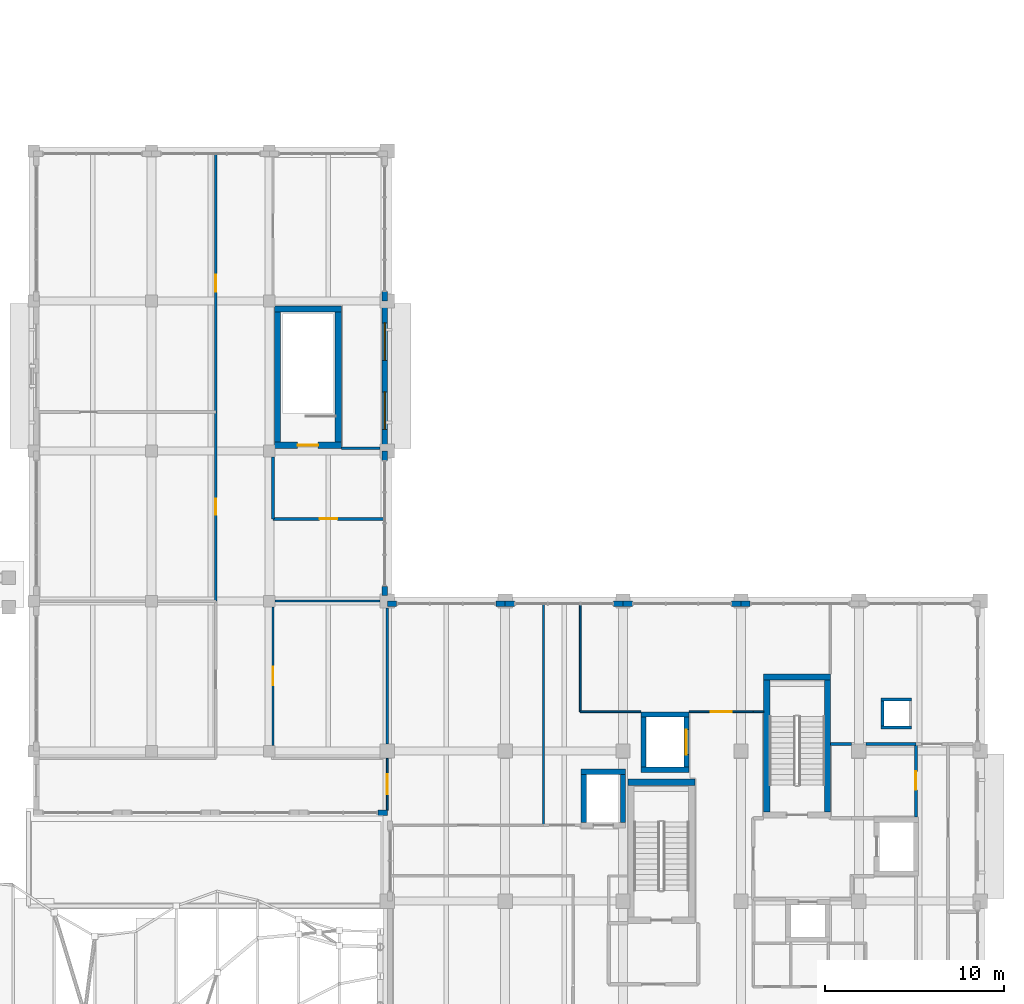
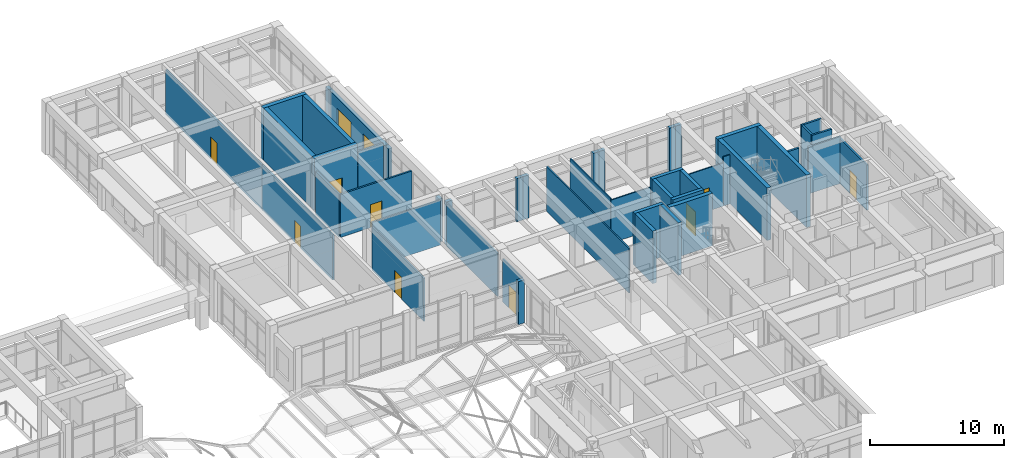
# One storey, part 60 of 79: 47 walls, 9 doors, 2 windows, 11 openings.
"""IFC4 building model written with IfcOpenShell, lengths in metres."""

from ifc_helpers import new_model, si_unit, direction, frame, frame_2d, origin, place, context, subcontext, project, spatial, rectangle, extrude, material, layer, layer_set, type_object, element, fill, save


model = new_model("IFC4")

# Units and contexts
model_context = context("Model", 3, precision=1e-05, world=origin(), true_north=direction((0.0, 1.0)))
body_context = subcontext(model_context, "Body", "Model", "MODEL_VIEW")
ifc_project = project(units=[si_unit("LENGTHUNIT", "METRE"), si_unit("AREAUNIT", "SQUARE_METRE"), si_unit("VOLUMEUNIT", "CUBIC_METRE"), si_unit("PLANEANGLEUNIT", "RADIAN"), si_unit("MASSUNIT", "GRAM", prefix="KILO")], contexts=[model_context])

# Site, building, storey
site_placement = place(None, origin())
site = spatial("IfcSite", under=ifc_project, at=site_placement, CompositionType="ELEMENT")
building_placement = place(site_placement, origin())
building = spatial("IfcBuilding", under=site, at=building_placement, Name="Kolvaren Faculty of Natural Sciences", CompositionType="ELEMENT")
storey_placement = place(building_placement, frame((0.0, 0.0, 10.199951171875)))
storey = spatial("IfcBuildingStorey", under=building, at=storey_placement, Name="L02", CompositionType="ELEMENT", Elevation=10.199951171875)

# Wall, opening, door
ifc_material_1 = material(Name="Acoustic mineral-wool insulated gypsum partition")
ifc_layer_1 = layer(ifc_material_1, 0.159912109375)
ifc_layer_set_1 = layer_set([ifc_layer_1], Name="Acoustic mineral-wool insulated gypsum partition")
wall_type_1 = type_object("IfcWallType", Name="ClassroomPartitionWall_160", PredefinedType="PARTITIONING", material=ifc_layer_set_1)
wall_1_placement = place(storey_placement, frame((168.39990234375, 76.199951171875, 0.0), z_axis=(0.0, 0.0, 1.0), x_axis=(0.0, -1.0, 0.0)))
wall_1 = element("IfcWall", 1, at=wall_1_placement, inside=storey, type_object=wall_type_1, Name="L02 interior partition PW-160", PredefinedType="PARTITIONING", context=body_context, shape_type="SweptSolid", body=[
    extrude(rectangle(XDim=4.097900390625, YDim=0.159912109375, at=frame_2d((2.048828125, 0.0))), origin(), (0.0, 0.0, 1.0), 4.135009765625),
])
opening_1_placement = place(wall_1_placement, frame((1.529052734375, 0.0, 0.0)))
opening_1 = element("IfcOpeningElement", 2, at=opening_1_placement, cuts=wall_1, Name="Opening ID-22", PredefinedType="OPENING", context=body_context, shape_type="SweptSolid", body=[
    extrude(rectangle(XDim=1.0400390625, YDim=2.139892578125, at=frame_2d((0.52001953125, 1.06982421875))), frame((0.0, 0.08984375, 0.0), z_axis=(0.0, -1.0, 0.0), x_axis=(1.0, 0.0, 0.0)), (0.0, 0.0, 1.0), 0.179931640625),
])
ifc_material_2 = material(Name="Solid-core hardwood veneer door leaf in steel frame", Category="steel")
door_type_1 = type_object("IfcDoorType", Name="InteriorRoomDoor_1040x2140", OperationType="NOTDEFINED", PredefinedType="DOOR", material=ifc_material_2)
door_1_placement = place(opening_1_placement, origin())
door_1 = element("IfcDoor", 3, at=door_1_placement, inside=storey, type_object=door_type_1, Name="D-L02-0215", OperationType="SINGLE_SWING_LEFT", OverallHeight=2.139892578125, OverallWidth=1.0400390625, PredefinedType="DOOR", context=body_context, shape_type="SweptSolid", body=[
    extrude(rectangle(XDim=1.0400390625, YDim=2.139892578125, at=frame_2d((0.52001953125, 1.06982421875))), frame((0.0, 0.02490234375, 0.0), z_axis=(0.0, -1.0, 0.0), x_axis=(1.0, 0.0, 0.0)), (0.0, 0.0, 1.0), 0.050048828125),
])
fill(opening_1, door_1)

# Walls
wall_2_placement = place(storey_placement, frame((163.626953125, 76.199951171875, 0.0), z_axis=(0.0, 0.0, 1.0), x_axis=(1.0, 0.0, 0.0)))
element("IfcWall", 4, at=wall_2_placement, inside=storey, type_object=wall_type_1, Name="L02 interior partition PW-160", PredefinedType="PARTITIONING", context=body_context, shape_type="SweptSolid", body=[
    extrude(rectangle(XDim=1.173095703125, YDim=0.159912109375, at=frame_2d((0.58642578125, 0.0))), origin(), (0.0, 0.0, 1.0), 4.4951171875),
])
wall_3_placement = place(storey_placement, frame((165.60009765625, 76.199951171875, 0.0), z_axis=(0.0, 0.0, 1.0), x_axis=(1.0, 0.0, 0.0)))
element("IfcWall", 5, at=wall_3_placement, inside=storey, type_object=wall_type_1, Name="L02 interior partition PW-160", PredefinedType="PARTITIONING", context=body_context, shape_type="SweptSolid", body=[
    extrude(rectangle(XDim=2.7998046875, YDim=0.159912109375, at=frame_2d((1.39990234375, 0.0))), origin(), (0.0, 0.0, 1.0), 4.28515625),
])

# Wall, opening, door
ifc_layer_2 = layer(ifc_material_1, 0.139892578125)
ifc_layer_set_2 = layer_set([ifc_layer_2], Name="Acoustic mineral-wool insulated gypsum partition")
wall_type_2 = type_object("IfcWallType", Name="CommonsPartitionWall_140", PredefinedType="PARTITIONING", material=ifc_layer_set_2)
wall_4_placement = place(storey_placement, frame((129.199951171875, 109.219970703125, 0.0), z_axis=(0.0, 0.0, 1.0), x_axis=(0.0, -1.0, 0.0)))
wall_4 = element("IfcWall", 6, at=wall_4_placement, inside=storey, type_object=wall_type_2, Name="L02 interior partition PW-140", PredefinedType="PARTITIONING", context=body_context, shape_type="SweptSolid", body=[
    extrude(rectangle(XDim=14.43603515625, YDim=0.139892578125, at=frame_2d((7.218017578125, 0.0))), origin(), (0.0, 0.0, 1.0), 4.0849609375),
])
opening_2_placement = place(wall_4_placement, frame((6.748046875, 0.0, 0.0)))
opening_2 = element("IfcOpeningElement", 7, at=opening_2_placement, cuts=wall_4, Name="Opening ID-02", PredefinedType="OPENING", context=body_context, shape_type="SweptSolid", body=[
    extrude(rectangle(XDim=0.93994140625, YDim=2.02001953125, at=frame_2d((0.469970703125, 1.010009765625))), frame((0.0, 0.079833984375, 0.0), z_axis=(0.0, -1.0, 0.0), x_axis=(1.0, 0.0, 0.0)), (0.0, 0.0, 1.0), 0.159912109375),
])
door_type_2 = type_object("IfcDoorType", Name="InteriorRoomDoor_940x2020", OperationType="NOTDEFINED", PredefinedType="DOOR", material=ifc_material_2)
door_2_placement = place(opening_2_placement, origin())
door_2 = element("IfcDoor", 8, at=door_2_placement, inside=storey, type_object=door_type_2, Name="D-L02-0186", OperationType="SINGLE_SWING_RIGHT", OverallHeight=2.02001953125, OverallWidth=0.93994140625, PredefinedType="DOOR", context=body_context, shape_type="SweptSolid", body=[
    extrude(rectangle(XDim=0.93994140625, YDim=2.02001953125, at=frame_2d((0.469970703125, 1.010009765625))), frame((0.0, 0.02490234375, 0.0), z_axis=(0.0, -1.0, 0.0), x_axis=(1.0, 0.0, 0.0)), (0.0, 0.0, 1.0), 0.050048828125),
])
fill(opening_2, door_2)

ifc_layer_3 = layer(ifc_material_1, 0.14501953125)
ifc_layer_set_3 = layer_set([ifc_layer_3], Name="Acoustic mineral-wool insulated gypsum partition")
wall_type_3 = type_object("IfcWallType", Name="CommonsPartitionWall_145", PredefinedType="PARTITIONING", material=ifc_layer_set_3)
wall_5_placement = place(storey_placement, frame((129.199951171875, 94.783935546875, 0.0), z_axis=(0.0, 0.0, 1.0), x_axis=(0.0, -1.0, 0.0)))
wall_5 = element("IfcWall", 9, at=wall_5_placement, inside=storey, type_object=wall_type_3, Name="L02 interior partition PW-145", PredefinedType="PARTITIONING", context=body_context, shape_type="SweptSolid", body=[
    extrude(rectangle(XDim=10.583984375, YDim=0.14501953125, at=frame_2d((5.2919921875, 0.0))), origin(), (0.0, 0.0, 1.0), 4.135009765625),
])
opening_3_placement = place(wall_5_placement, frame((4.842041015625, 0.0, 0.0)))
opening_3 = element("IfcOpeningElement", 10, at=opening_3_placement, cuts=wall_5, Name="Opening ID-01", PredefinedType="OPENING", context=body_context, shape_type="SweptSolid", body=[
    extrude(rectangle(XDim=0.89990234375, YDim=2.02001953125, at=frame_2d((0.449951171875, 1.010009765625))), frame((0.0, 0.08251953125, 0.0), z_axis=(0.0, -1.0, 0.0), x_axis=(1.0, 0.0, 0.0)), (0.0, 0.0, 1.0), 0.1650390625),
])
door_type_3 = type_object("IfcDoorType", Name="InteriorRoomDoor_900x2020", OperationType="NOTDEFINED", PredefinedType="DOOR", material=ifc_material_2)
door_3_placement = place(opening_3_placement, origin())
door_3 = element("IfcDoor", 11, at=door_3_placement, inside=storey, type_object=door_type_3, Name="D-L02-0184", OperationType="SINGLE_SWING_RIGHT", OverallHeight=2.02001953125, OverallWidth=0.89990234375, PredefinedType="DOOR", context=body_context, shape_type="SweptSolid", body=[
    extrude(rectangle(XDim=0.89990234375, YDim=2.02001953125, at=frame_2d((0.449951171875, 1.010009765625))), frame((0.0, 0.02490234375, 0.0), z_axis=(0.0, -1.0, 0.0), x_axis=(1.0, 0.0, 0.0)), (0.0, 0.0, 1.0), 0.050048828125),
])
fill(opening_3, door_3)

# Walls
ifc_material_3 = material(Name="Concrete C40/50", Category="concrete")
ifc_layer_4 = layer(ifc_material_3, 0.35009765625)
ifc_layer_set_4 = layer_set([ifc_layer_4], Name="Concrete C40/50")
wall_type_4 = type_object("IfcWallType", Name="CoreShearWall_350", PredefinedType="SHEAR", material=ifc_layer_set_4)
wall_6_placement = place(storey_placement, frame((159.875, 79.949951171875, 0.0), z_axis=(0.0, 0.0, 1.0), x_axis=(1.0, 0.0, 0.0)))
element("IfcWall", 12, at=wall_6_placement, inside=storey, type_object=wall_type_4, Name="L02 CORE-C1 stair shear wall N", PredefinedType="SHEAR", context=body_context, shape_type="SweptSolid", body=[
    extrude(rectangle(XDim=3.75, YDim=0.35009765625, at=frame_2d((1.875, 0.0))), origin(), (0.0, 0.0, 1.0), 4.800048828125),
])
for number, where, z_axis, x_axis, name in (
    (13, (160.050048828125, 72.39990234375, 0.0), (0.0, 0.0, 1.0), (0.0, 1.0, 0.0), "L02 CORE-C1 stair shear wall W"),
    (14, (163.449951171875, 72.39990234375, 0.0), (0.0, 0.0, 1.0), (0.0, 1.0, 0.0), "L02 CORE-C1 stair shear wall E"),
):
    element("IfcWall", number, at=place(storey_placement, frame(where, z_axis=z_axis, x_axis=x_axis)), inside=storey, type_object=wall_type_4, Name=name, PredefinedType="SHEAR", context=body_context, shape_type="SweptSolid", body=[
        extrude(rectangle(XDim=7.375, YDim=0.35009765625, at=frame_2d((3.6875, 0.0))), origin(), (0.0, 0.0, 1.0), 4.800048828125),
    ])
wall_7_placement = place(storey_placement, frame((152.27490234375, 74.050048828125, 0.0), z_axis=(0.0, 0.0, 1.0), x_axis=(1.0, 0.0, 0.0)))
element("IfcWall", 15, at=wall_7_placement, inside=storey, type_object=wall_type_4, Name="L02 CORE-C2 stair shear wall N", PredefinedType="SHEAR", context=body_context, shape_type="SweptSolid", body=[
    extrude(rectangle(XDim=3.75, YDim=0.35009765625, at=frame_2d((1.875, 0.0))), origin(), (0.0, 0.0, 1.0), 4.800048828125),
])

# Wall, opening, door
wall_8_placement = place(storey_placement, frame((132.47509765625, 92.925048828125, 0.0), z_axis=(0.0, 0.0, 1.0), x_axis=(1.0, 0.0, 0.0)))
wall_8 = element("IfcWall", 16, at=wall_8_placement, inside=storey, type_object=wall_type_4, Name="L02 CORE-C7 stair shear wall S", PredefinedType="SHEAR", context=body_context, shape_type="SweptSolid", body=[
    extrude(rectangle(XDim=3.75, YDim=0.35009765625, at=frame_2d((1.875, 0.0))), origin(), (0.0, 0.0, 1.0), 4.739990234375),
])
opening_4_placement = place(wall_8_placement, frame((1.300048828125, 0.0, 0.0)))
opening_4 = element("IfcOpeningElement", 17, at=opening_4_placement, cuts=wall_8, Name="Opening FD90", PredefinedType="OPENING", context=body_context, shape_type="SweptSolid", body=[
    extrude(rectangle(XDim=1.14990234375, YDim=2.14990234375, at=frame_2d((0.574951171875, 1.074951171875))), frame((0.0, 0.18505859375, 0.0), z_axis=(0.0, -1.0, 0.0), x_axis=(1.0, 0.0, 0.0)), (0.0, 0.0, 1.0), 0.3701171875),
])
ifc_material_4 = material(Name="Fire-rated solid-core hardwood door leaf in steel frame", Category="steel")
door_type_4 = type_object("IfcDoorType", Name="StairCoreFireDoor_1150x2150", OperationType="NOTDEFINED", PredefinedType="DOOR", material=ifc_material_4)
door_4_placement = place(opening_4_placement, origin())
door_4 = element("IfcDoor", 18, at=door_4_placement, inside=storey, type_object=door_type_4, Name="D-ST-ST-7-L02", OperationType="SINGLE_SWING_RIGHT", OverallHeight=2.14990234375, OverallWidth=1.14990234375, PredefinedType="DOOR", context=body_context, shape_type="SweptSolid", body=[
    extrude(rectangle(XDim=1.14990234375, YDim=2.14990234375, at=frame_2d((0.574951171875, 1.074951171875))), frame((0.0, 0.02490234375, 0.0), z_axis=(0.0, -1.0, 0.0), x_axis=(1.0, 0.0, 0.0)), (0.0, 0.0, 1.0), 0.050048828125),
])
fill(opening_4, door_4)

# Walls
wall_9_placement = place(storey_placement, frame((132.47509765625, 100.550048828125, 0.0), z_axis=(0.0, 0.0, 1.0), x_axis=(1.0, 0.0, 0.0)))
element("IfcWall", 19, at=wall_9_placement, inside=storey, type_object=wall_type_4, Name="L02 CORE-C7 stair shear wall N", PredefinedType="SHEAR", context=body_context, shape_type="SweptSolid", body=[
    extrude(rectangle(XDim=3.75, YDim=0.35009765625, at=frame_2d((1.875, 0.0))), origin(), (0.0, 0.0, 1.0), 4.739990234375),
])
for number, where, z_axis, x_axis, name in (
    (20, (132.64990234375, 93.10009765625, 0.0), (0.0, 0.0, 1.0), (0.0, 1.0, 0.0), "L02 CORE-C7 stair shear wall W"),
    (21, (136.050048828125, 93.10009765625, 0.0), (0.0, 0.0, 1.0), (0.0, 1.0, 0.0), "L02 CORE-C7 stair shear wall E"),
):
    element("IfcWall", number, at=place(storey_placement, frame(where, z_axis=z_axis, x_axis=x_axis)), inside=storey, type_object=wall_type_4, Name=name, PredefinedType="SHEAR", context=body_context, shape_type="SweptSolid", body=[
        extrude(rectangle(XDim=7.27490234375, YDim=0.35009765625, at=frame_2d((3.637451171875, 0.0))), origin(), (0.0, 0.0, 1.0), 4.739990234375),
    ])
ifc_layer_5 = layer(ifc_material_1, 0.094970703125)
ifc_layer_set_5 = layer_set([ifc_layer_5], Name="Acoustic mineral-wool insulated gypsum partition")
wall_type_5 = type_object("IfcWallType", Name="CubiclePartition_095", PredefinedType="PARTITIONING", material=ifc_layer_set_5)
wall_10_placement = place(storey_placement, frame((153.0, 78.0, 0.0), z_axis=(0.0, 0.0, 1.0), x_axis=(-1.0, 0.0, 0.0)))
element("IfcWall", 22, at=wall_10_placement, inside=storey, type_object=wall_type_5, Name="L02 interior partition PW-095", PredefinedType="PARTITIONING", context=body_context, shape_type="SweptSolid", body=[
    extrude(rectangle(XDim=3.39990234375, YDim=0.094970703125, at=frame_2d((1.699951171875, 0.0))), origin(), (0.0, 0.0, 1.0), 3.93505859375),
])
wall_11_placement = place(storey_placement, frame((149.60009765625, 78.0, 0.0), z_axis=(0.0, 0.0, 1.0), x_axis=(0.0, 1.0, 0.0)))
element("IfcWall", 23, at=wall_11_placement, inside=storey, type_object=wall_type_5, Name="L02 interior partition PW-095", PredefinedType="PARTITIONING", context=body_context, shape_type="SweptSolid", body=[
    extrude(rectangle(XDim=6.02001953125, YDim=0.094970703125, at=frame_2d((3.010009765625, 0.0))), origin(), (0.0, 0.0, 1.0), 4.0849609375),
])
wall_12_placement = place(storey_placement, frame((159.873046875, 78.0, 0.0), z_axis=(0.0, 0.0, 1.0), x_axis=(-1.0, 0.0, 0.0)))
element("IfcWall", 24, at=wall_12_placement, inside=storey, type_object=wall_type_5, Name="L02 interior partition PW-095", PredefinedType="PARTITIONING", context=body_context, shape_type="SweptSolid", body=[
    extrude(rectangle(XDim=0.572998046875, YDim=0.094970703125, at=frame_2d((0.28662109375, 0.0))), origin(), (0.0, 0.0, 1.0), 4.4951171875),
])

# Wall, opening, door
wall_13_placement = place(storey_placement, frame((159.300048828125, 78.0, 0.0), z_axis=(0.0, 0.0, 1.0), x_axis=(-1.0, 0.0, 0.0)))
wall_13 = element("IfcWall", 25, at=wall_13_placement, inside=storey, type_object=wall_type_5, Name="L02 interior partition PW-095", PredefinedType="PARTITIONING", context=body_context, shape_type="SweptSolid", body=[
    extrude(rectangle(XDim=3.60009765625, YDim=0.094970703125, at=frame_2d((1.800048828125, 0.0))), origin(), (0.0, 0.0, 1.0), 3.93505859375),
])
opening_5_placement = place(wall_13_placement, frame((1.2099609375, 0.0, 0.0)))
opening_5 = element("IfcOpeningElement", 26, at=opening_5_placement, cuts=wall_13, Name="Opening ID-18", PredefinedType="OPENING", context=body_context, shape_type="SweptSolid", body=[
    extrude(rectangle(XDim=1.179931640625, YDim=2.10009765625, at=frame_2d((0.58984375, 1.050048828125))), frame((0.0, 0.057373046875, 0.0), z_axis=(0.0, -1.0, 0.0), x_axis=(1.0, 0.0, 0.0)), (0.0, 0.0, 1.0), 0.114990234375),
])
door_type_5 = type_object("IfcDoorType", Name="InteriorRoomDoor_1180x2100", OperationType="NOTDEFINED", PredefinedType="DOOR", material=ifc_material_2)
door_5_placement = place(opening_5_placement, origin())
door_5 = element("IfcDoor", 27, at=door_5_placement, inside=storey, type_object=door_type_5, Name="D-L02-0211", OperationType="SINGLE_SWING_LEFT", OverallHeight=2.10009765625, OverallWidth=1.179931640625, PredefinedType="DOOR", context=body_context, shape_type="SweptSolid", body=[
    extrude(rectangle(XDim=1.179931640625, YDim=2.10009765625, at=frame_2d((0.58984375, 1.050048828125))), frame((0.0, 0.02490234375, 0.0), z_axis=(0.0, -1.0, 0.0), x_axis=(1.0, 0.0, 0.0)), (0.0, 0.0, 1.0), 0.050048828125),
])
fill(opening_5, door_5)

# Walls
ifc_material_5 = material(Name="Sandstone-faced insulated cavity masonry", Category="masonry")
ifc_layer_6 = layer(ifc_material_5, 0.300048828125)
ifc_layer_set_6 = layer_set([ifc_layer_6], Name="Sandstone-faced insulated cavity masonry")
wall_type_6 = type_object("IfcWallType", Name="ExteriorCavityWall_300", PredefinedType="STANDARD", material=ifc_layer_set_6)
for number, where, z_axis, x_axis, name in (
    (28, (138.800048828125, 72.35009765625, 0.0), (0.0, 0.0, 1.0), (-1.0, 0.0, 0.0), "L02 curtain-wall pier stub 361"),
    (29, (138.64990234375, 101.52001953125, 0.0), (0.0, 0.0, 1.0), (0.0, -1.0, 0.0), "L02 curtain-wall pier stub 384"),
):
    element("IfcWall", number, at=place(storey_placement, frame(where, z_axis=z_axis, x_axis=x_axis)), inside=storey, type_object=wall_type_6, Name=name, PredefinedType="STANDARD", context=body_context, shape_type="SweptSolid", body=[
        extrude(rectangle(XDim=0.52001953125, YDim=0.300048828125, at=frame_2d((0.260009765625, 0.0))), origin(), (0.0, 0.0, 1.0), 3.93505859375),
    ])

# Wall, openings, windows
wall_14_placement = place(storey_placement, frame((138.64990234375, 101.0, 0.0), z_axis=(0.0, 0.0, 1.0), x_axis=(0.0, -1.0, 0.0)))
wall_14 = element("IfcWall", 30, at=wall_14_placement, inside=storey, type_object=wall_type_6, Name="L02 exterior masonry wall EW-300 (385)", PredefinedType="STANDARD", context=body_context, shape_type="SweptSolid", body=[
    extrude(rectangle(XDim=8.39990234375, YDim=0.300048828125, at=frame_2d((4.199951171875, 0.0))), origin(), (0.0, 0.0, 1.0), 3.93505859375),
])
opening_6_placement = place(wall_14_placement, frame((1.218017578125, 0.0, 0.89990234375)))
opening_6 = element("IfcOpeningElement", 31, at=opening_6_placement, cuts=wall_14, Name="Opening WIN-07", PredefinedType="OPENING", context=body_context, shape_type="SweptSolid", body=[
    extrude(rectangle(XDim=2.10009765625, YDim=2.10009765625, at=frame_2d((1.050048828125, 1.050048828125))), frame((0.0, 0.159912109375, 0.0), z_axis=(0.0, -1.0, 0.0), x_axis=(1.0, 0.0, 0.0)), (0.0, 0.0, 1.0), 0.320068359375),
])
opening_7_placement = place(wall_14_placement, frame((5.08203125, 0.0, 0.89990234375)))
opening_7 = element("IfcOpeningElement", 32, at=opening_7_placement, cuts=wall_14, Name="Opening WIN-07", PredefinedType="OPENING", context=body_context, shape_type="SweptSolid", body=[
    extrude(rectangle(XDim=2.10009765625, YDim=2.10009765625, at=frame_2d((1.050048828125, 1.050048828125))), frame((0.0, 0.159912109375, 0.0), z_axis=(0.0, -1.0, 0.0), x_axis=(1.0, 0.0, 0.0)), (0.0, 0.0, 1.0), 0.320068359375),
])
ifc_material_6 = material(Name="Double low-E solar control insulated glazing", Category="glass")
window_type = type_object("IfcWindowType", Name="AluWindow_WIN07_2100x2100", PartitioningType="SINGLE_PANEL", PredefinedType="WINDOW", material=ifc_material_6)
window_1_placement = place(opening_6_placement, origin())
window_1 = element("IfcWindow", 33, at=window_1_placement, inside=storey, type_object=window_type, Name="WIN-L02-0282", OverallHeight=2.10009765625, OverallWidth=2.10009765625, PartitioningType="SINGLE_PANEL", PredefinedType="WINDOW", context=body_context, shape_type="SweptSolid", body=[
    extrude(rectangle(XDim=2.10009765625, YDim=2.10009765625, at=frame_2d((1.050048828125, 1.050048828125))), frame((0.0, 0.030029296875, 0.0), z_axis=(0.0, -1.0, 0.0), x_axis=(1.0, 0.0, 0.0)), (0.0, 0.0, 1.0), 0.06005859375),
])
fill(opening_6, window_1)
window_2_placement = place(opening_7_placement, origin())
window_2 = element("IfcWindow", 34, at=window_2_placement, inside=storey, type_object=window_type, Name="WIN-L02-0283", OverallHeight=2.10009765625, OverallWidth=2.10009765625, PartitioningType="SINGLE_PANEL", PredefinedType="WINDOW", context=body_context, shape_type="SweptSolid", body=[
    extrude(rectangle(XDim=2.10009765625, YDim=2.10009765625, at=frame_2d((1.050048828125, 1.050048828125))), frame((0.0, 0.030029296875, 0.0), z_axis=(0.0, -1.0, 0.0), x_axis=(1.0, 0.0, 0.0)), (0.0, 0.0, 1.0), 0.06005859375),
])
fill(opening_7, window_2)

# Walls
for number, where, z_axis, x_axis, name in (
    (35, (138.64990234375, 92.60009765625, 0.0), (0.0, 0.0, 1.0), (0.0, -1.0, 0.0), "L02 curtain-wall pier stub 386"),
    (36, (138.64990234375, 85.02001953125, 0.0), (0.0, 0.0, 1.0), (0.0, -1.0, 0.0), "L02 curtain-wall pier stub 387"),
    (37, (138.800048828125, 84.050048828125, 0.0), (0.0, 0.0, 1.0), (1.0, 0.0, 0.0), "L02 curtain-wall pier stub 388"),
    (38, (144.8798828125, 84.050048828125, 0.0), (0.0, 0.0, 1.0), (1.0, 0.0, 0.0), "L02 curtain-wall pier stub 389"),
    (39, (145.39990234375, 84.050048828125, 0.0), (0.0, 0.0, 1.0), (1.0, 0.0, 0.0), "L02 curtain-wall pier stub 390"),
    (40, (151.47998046875, 84.050048828125, 0.0), (0.0, 0.0, 1.0), (1.0, 0.0, 0.0), "L02 curtain-wall pier stub 391"),
    (41, (152.0, 84.050048828125, 0.0), (0.0, 0.0, 1.0), (1.0, 0.0, 0.0), "L02 curtain-wall pier stub 392"),
    (42, (158.080078125, 84.050048828125, 0.0), (0.0, 0.0, 1.0), (1.0, 0.0, 0.0), "L02 curtain-wall pier stub 393"),
    (43, (158.60009765625, 84.050048828125, 0.0), (0.0, 0.0, 1.0), (1.0, 0.0, 0.0), "L02 curtain-wall pier stub 394"),
):
    element("IfcWall", number, at=place(storey_placement, frame(where, z_axis=z_axis, x_axis=x_axis)), inside=storey, type_object=wall_type_6, Name=name, PredefinedType="STANDARD", context=body_context, shape_type="SweptSolid", body=[
        extrude(rectangle(XDim=0.52001953125, YDim=0.300048828125, at=frame_2d((0.260009765625, 0.0))), origin(), (0.0, 0.0, 1.0), 3.93505859375),
    ])
ifc_material_7 = material(Name="Double fire-rated gypsum board on 100 mm steel stud", Category="steel")
ifc_layer_7 = layer(ifc_material_7, 0.14990234375)
ifc_layer_set_7 = layer_set([ifc_layer_7], Name="Double fire-rated gypsum board on 100 mm steel stud")
wall_type_7 = type_object("IfcWallType", Name="RatedCorridorWall_150", PredefinedType="PARTITIONING", material=ifc_layer_set_7)
wall_15_placement = place(storey_placement, frame((136.22509765625, 92.75, 0.0), z_axis=(0.0, 0.0, 1.0), x_axis=(1.0, 0.0, 0.0)))
element("IfcWall", 44, at=wall_15_placement, inside=storey, type_object=wall_type_7, Name="L02 interior partition LW-150", PredefinedType="PARTITIONING", context=body_context, shape_type="SweptSolid", body=[
    extrude(rectangle(XDim=2.1748046875, YDim=0.14990234375, at=frame_2d((1.08740234375, 0.0))), origin(), (0.0, 0.0, 1.0), 4.135009765625),
])

# Wall, opening, door
wall_16_placement = place(storey_placement, frame((138.6201171875, 88.800048828125, 0.0), z_axis=(0.0, 0.0, 1.0), x_axis=(-1.0, 0.0, 0.0)))
wall_16 = element("IfcWall", 45, at=wall_16_placement, inside=storey, type_object=wall_type_7, Name="L02 interior partition LW-150", PredefinedType="PARTITIONING", context=body_context, shape_type="SweptSolid", body=[
    extrude(rectangle(XDim=6.22021484375, YDim=0.14990234375, at=frame_2d((3.110107421875, 0.0))), origin(), (0.0, 0.0, 1.0), 3.93505859375),
])
opening_8_placement = place(wall_16_placement, frame((2.610107421875, 0.0, 0.0)))
opening_8 = element("IfcOpeningElement", 46, at=opening_8_placement, cuts=wall_16, Name="Opening FD30", PredefinedType="OPENING", context=body_context, shape_type="SweptSolid", body=[
    extrude(rectangle(XDim=1.0, YDim=2.10009765625, at=frame_2d((0.5, 1.050048828125))), frame((0.0, 0.0849609375, 0.0), z_axis=(0.0, -1.0, 0.0), x_axis=(1.0, 0.0, 0.0)), (0.0, 0.0, 1.0), 0.169921875),
])
door_type_6 = type_object("IfcDoorType", Name="CorridorFireDoor_1000x2100", OperationType="NOTDEFINED", PredefinedType="DOOR", material=ifc_material_4)
door_6_placement = place(opening_8_placement, origin())
door_6 = element("IfcDoor", 47, at=door_6_placement, inside=storey, type_object=door_type_6, Name="D-L02-0176", OperationType="SINGLE_SWING_RIGHT", OverallHeight=2.10009765625, OverallWidth=1.0, PredefinedType="DOOR", context=body_context, shape_type="SweptSolid", body=[
    extrude(rectangle(XDim=1.0, YDim=2.10009765625, at=frame_2d((0.5, 1.050048828125))), frame((0.0, 0.02490234375, 0.0), z_axis=(0.0, -1.0, 0.0), x_axis=(1.0, 0.0, 0.0)), (0.0, 0.0, 1.0), 0.050048828125),
])
fill(opening_8, door_6)

# Walls
wall_17_placement = place(storey_placement, frame((132.39990234375, 88.800048828125, 0.0), z_axis=(0.0, 0.0, 1.0), x_axis=(0.0, 1.0, 0.0)))
element("IfcWall", 48, at=wall_17_placement, inside=storey, type_object=wall_type_7, Name="L02 interior partition LW-150", PredefinedType="PARTITIONING", context=body_context, shape_type="SweptSolid", body=[
    extrude(rectangle(XDim=3.474853515625, YDim=0.14990234375, at=frame_2d((1.7373046875, 0.0))), origin(), (0.0, 0.0, 1.0), 3.93505859375),
])
ifc_layer_8 = layer(ifc_material_7, 0.159912109375)
ifc_layer_set_8 = layer_set([ifc_layer_8], Name="Double fire-rated gypsum board on 100 mm steel stud")
wall_type_8 = type_object("IfcWallType", Name="RiserShaftWall_160", PredefinedType="PARTITIONING", material=ifc_layer_set_8)
for number, where, z_axis, x_axis, name in (
    (49, (166.43994140625, 77.1201171875, 0.0), (0.0, 0.0, 1.0), (1.0, 0.0, 0.0), "L02 service riser shaft wall S"),
    (50, (166.43994140625, 78.679931640625, 0.0), (0.0, 0.0, 1.0), (1.0, 0.0, 0.0), "L02 service riser shaft wall N"),
):
    element("IfcWall", number, at=place(storey_placement, frame(where, z_axis=z_axis, x_axis=x_axis)), inside=storey, type_object=wall_type_8, Name=name, PredefinedType="PARTITIONING", context=body_context, shape_type="SweptSolid", body=[
        extrude(rectangle(XDim=1.719970703125, YDim=0.159912109375, at=frame_2d((0.85986328125, 0.0))), origin(), (0.0, 0.0, 1.0), 4.4951171875),
    ])
wall_18_placement = place(storey_placement, frame((166.52001953125, 77.199951171875, 0.0), z_axis=(0.0, 0.0, 1.0), x_axis=(0.0, 1.0, 0.0)))
element("IfcWall", 51, at=wall_18_placement, inside=storey, type_object=wall_type_8, Name="L02 service riser shaft wall W", PredefinedType="PARTITIONING", context=body_context, shape_type="SweptSolid", body=[
    extrude(rectangle(XDim=1.400146484375, YDim=0.159912109375, at=frame_2d((0.7001953125, 0.0))), origin(), (0.0, 0.0, 1.0), 4.4951171875),
])
ifc_layer_9 = layer(ifc_material_3, 0.300048828125)
ifc_layer_set_9 = layer_set([ifc_layer_9], Name="Concrete C40/50")
wall_type_9 = type_object("IfcWallType", Name="ShaftShearWall_300", PredefinedType="SHEAR", material=ifc_layer_set_9)
wall_19_placement = place(storey_placement, frame((149.64990234375, 74.64990234375, 0.0), z_axis=(0.0, 0.0, 1.0), x_axis=(1.0, 0.0, 0.0)))
element("IfcWall", 52, at=wall_19_placement, inside=storey, type_object=wall_type_9, Name="L02 lift FL-2 shaft wall N", PredefinedType="SHEAR", context=body_context, shape_type="SweptSolid", body=[
    extrude(rectangle(XDim=2.5, YDim=0.300048828125, at=frame_2d((1.25, 0.0))), origin(), (0.0, 0.0, 1.0), 4.800048828125),
])
for number, where, z_axis, x_axis, name in (
    (53, (149.800048828125, 71.800048828125, 0.0), (0.0, 0.0, 1.0), (0.0, 1.0, 0.0), "L02 lift FL-2 shaft wall W"),
    (54, (152.0, 71.800048828125, 0.0), (0.0, 0.0, 1.0), (0.0, 1.0, 0.0), "L02 lift FL-2 shaft wall E"),
    (55, (153.0, 74.75, 0.0), (0.0, 0.0, 1.0), (1.0, 0.0, 0.0), "L02 lift GL-2 shaft wall S"),
    (56, (153.0, 77.85009765625, 0.0), (0.0, 0.0, 1.0), (1.0, 0.0, 0.0), "L02 lift GL-2 shaft wall N"),
):
    element("IfcWall", number, at=place(storey_placement, frame(where, z_axis=z_axis, x_axis=x_axis)), inside=storey, type_object=wall_type_9, Name=name, PredefinedType="SHEAR", context=body_context, shape_type="SweptSolid", body=[
        extrude(rectangle(XDim=2.699951171875, YDim=0.300048828125, at=frame_2d((1.35009765625, 0.0))), origin(), (0.0, 0.0, 1.0), 4.800048828125),
    ])
wall_20_placement = place(storey_placement, frame((153.14990234375, 74.89990234375, 0.0), z_axis=(0.0, 0.0, 1.0), x_axis=(0.0, 1.0, 0.0)))
element("IfcWall", 57, at=wall_20_placement, inside=storey, type_object=wall_type_9, Name="L02 lift GL-2 shaft wall W", PredefinedType="SHEAR", context=body_context, shape_type="SweptSolid", body=[
    extrude(rectangle(XDim=2.800048828125, YDim=0.300048828125, at=frame_2d((1.39990234375, 0.0))), origin(), (0.0, 0.0, 1.0), 4.800048828125),
])

# Wall, opening, door
wall_21_placement = place(storey_placement, frame((155.550048828125, 74.89990234375, 0.0), z_axis=(0.0, 0.0, 1.0), x_axis=(0.0, 1.0, 0.0)))
wall_21 = element("IfcWall", 58, at=wall_21_placement, inside=storey, type_object=wall_type_9, Name="L02 lift GL-2 shaft wall E", PredefinedType="SHEAR", context=body_context, shape_type="SweptSolid", body=[
    extrude(rectangle(XDim=2.800048828125, YDim=0.300048828125, at=frame_2d((1.39990234375, 0.0))), origin(), (0.0, 0.0, 1.0), 4.800048828125),
])
opening_9_placement = place(wall_21_placement, frame((0.699951171875, 0.0, 0.0)))
opening_9 = element("IfcOpeningElement", 59, at=opening_9_placement, cuts=wall_21, Name="Opening LD-03", PredefinedType="OPENING", context=body_context, shape_type="SweptSolid", body=[
    extrude(rectangle(XDim=1.39990234375, YDim=2.199951171875, at=frame_2d((0.699951171875, 1.10009765625))), frame((0.0, 0.159912109375, 0.0), z_axis=(0.0, -1.0, 0.0), x_axis=(1.0, 0.0, 0.0)), (0.0, 0.0, 1.0), 0.320068359375),
])
ifc_material_8 = material(Name="Brushed stainless steel lift car and sliding door assembly", Category="steel")
door_type_7 = type_object("IfcDoorType", Name="GoodsLiftSliding_1400x2200", OperationType="DOUBLE_DOOR_SLIDING", PredefinedType="DOOR", material=ifc_material_8)
door_7_placement = place(opening_9_placement, origin())
door_7 = element("IfcDoor", 60, at=door_7_placement, inside=storey, type_object=door_type_7, Name="D-LIFT-GL-2-L02", OperationType="DOUBLE_DOOR_SLIDING", OverallHeight=2.199951171875, OverallWidth=1.39990234375, PredefinedType="DOOR", context=body_context, shape_type="SweptSolid", body=[
    extrude(rectangle(XDim=1.39990234375, YDim=2.199951171875, at=frame_2d((0.699951171875, 1.10009765625))), frame((0.0, 0.02490234375, 0.0), z_axis=(0.0, -1.0, 0.0), x_axis=(1.0, 0.0, 0.0)), (0.0, 0.0, 1.0), 0.050048828125),
])
fill(opening_9, door_7)

ifc_layer_10 = layer(ifc_material_1, 0.1201171875)
ifc_layer_set_10 = layer_set([ifc_layer_10], Name="Acoustic mineral-wool insulated gypsum partition")
wall_type_10 = type_object("IfcWallType", Name="StudioPartitionWall_120", PredefinedType="PARTITIONING", material=ifc_layer_set_10)
wall_22_placement = place(storey_placement, frame((132.39990234375, 76.125, 0.0), z_axis=(0.0, 0.0, 1.0), x_axis=(0.0, 1.0, 0.0)))
wall_22 = element("IfcWall", 61, at=wall_22_placement, inside=storey, type_object=wall_type_10, Name="L02 interior partition PW-120", PredefinedType="PARTITIONING", context=body_context, shape_type="SweptSolid", body=[
    extrude(rectangle(XDim=7.75, YDim=0.1201171875, at=frame_2d((3.875, 0.0))), origin(), (0.0, 0.0, 1.0), 3.93505859375),
])
opening_10_placement = place(wall_22_placement, frame((3.364990234375, 0.0, 0.0)))
opening_10 = element("IfcOpeningElement", 62, at=opening_10_placement, cuts=wall_22, Name="Opening ID-04", PredefinedType="OPENING", context=body_context, shape_type="SweptSolid", body=[
    extrude(rectangle(XDim=1.02001953125, YDim=2.02001953125, at=frame_2d((0.510009765625, 1.010009765625))), frame((0.0, 0.070068359375, 0.0), z_axis=(0.0, -1.0, 0.0), x_axis=(1.0, 0.0, 0.0)), (0.0, 0.0, 1.0), 0.14013671875),
])
door_type_8 = type_object("IfcDoorType", Name="InteriorRoomDoor_1020x2020", OperationType="NOTDEFINED", PredefinedType="DOOR", material=ifc_material_2)
door_8_placement = place(opening_10_placement, origin())
door_8 = element("IfcDoor", 63, at=door_8_placement, inside=storey, type_object=door_type_8, Name="D-L02-0188", OperationType="SINGLE_SWING_RIGHT", OverallHeight=2.02001953125, OverallWidth=1.02001953125, PredefinedType="DOOR", context=body_context, shape_type="SweptSolid", body=[
    extrude(rectangle(XDim=1.02001953125, YDim=2.02001953125, at=frame_2d((0.510009765625, 1.010009765625))), frame((0.0, 0.02490234375, 0.0), z_axis=(0.0, -1.0, 0.0), x_axis=(1.0, 0.0, 0.0)), (0.0, 0.0, 1.0), 0.050048828125),
])
fill(opening_10, door_8)

# Walls
wall_23_placement = place(storey_placement, frame((132.52490234375, 84.199951171875, 0.0), z_axis=(0.0, 0.0, 1.0), x_axis=(1.0, 0.0, 0.0)))
element("IfcWall", 64, at=wall_23_placement, inside=storey, type_object=wall_type_10, Name="L02 interior partition PW-120", PredefinedType="PARTITIONING", context=body_context, shape_type="SweptSolid", body=[
    extrude(rectangle(XDim=5.875, YDim=0.1201171875, at=frame_2d((2.9375, 0.0))), origin(), (0.0, 0.0, 1.0), 4.135009765625),
])
wall_24_placement = place(storey_placement, frame((138.800048828125, 83.800048828125, 0.0), z_axis=(0.0, 0.0, 1.0), x_axis=(0.0, -1.0, 0.0)))
element("IfcWall", 65, at=wall_24_placement, inside=storey, type_object=wall_type_10, Name="L02 interior partition PW-120", PredefinedType="PARTITIONING", context=body_context, shape_type="SweptSolid", body=[
    extrude(rectangle(XDim=7.60009765625, YDim=0.1201171875, at=frame_2d((3.800048828125, 0.0))), origin(), (0.0, 0.0, 1.0), 3.93505859375),
])

# Wall, opening, door
ifc_layer_11 = layer(ifc_material_1, 0.10498046875)
ifc_layer_set_11 = layer_set([ifc_layer_11], Name="Acoustic mineral-wool insulated gypsum partition")
wall_type_11 = type_object("IfcWallType", Name="WetRoomPartition_105", PredefinedType="PARTITIONING", material=ifc_layer_set_11)
wall_25_placement = place(storey_placement, frame((138.800048828125, 72.501953125, 0.0), z_axis=(0.0, 0.0, 1.0), x_axis=(0.0, 1.0, 0.0)))
wall_25 = element("IfcWall", 66, at=wall_25_placement, inside=storey, type_object=wall_type_11, Name="L02 interior partition PW-105", PredefinedType="PARTITIONING", context=body_context, shape_type="SweptSolid", body=[
    extrude(rectangle(XDim=2.89794921875, YDim=0.10498046875, at=frame_2d((1.448974609375, 0.0))), origin(), (0.0, 0.0, 1.0), 3.93505859375),
])
opening_11_placement = place(wall_25_placement, frame((0.888916015625, 0.0, 0.0)))
opening_11 = element("IfcOpeningElement", 67, at=opening_11_placement, cuts=wall_25, Name="Opening ID-17", PredefinedType="OPENING", context=body_context, shape_type="SweptSolid", body=[
    extrude(rectangle(XDim=1.1201171875, YDim=2.10009765625, at=frame_2d((0.56005859375, 1.050048828125))), frame((0.0, 0.0625, 0.0), z_axis=(0.0, -1.0, 0.0), x_axis=(1.0, 0.0, 0.0)), (0.0, 0.0, 1.0), 0.125),
])
door_type_9 = type_object("IfcDoorType", Name="InteriorRoomDoor_1120x2100", OperationType="NOTDEFINED", PredefinedType="DOOR", material=ifc_material_2)
door_9_placement = place(opening_11_placement, origin())
door_9 = element("IfcDoor", 68, at=door_9_placement, inside=storey, type_object=door_type_9, Name="D-L02-0210", OperationType="SINGLE_SWING_RIGHT", OverallHeight=2.10009765625, OverallWidth=1.1201171875, PredefinedType="DOOR", context=body_context, shape_type="SweptSolid", body=[
    extrude(rectangle(XDim=1.1201171875, YDim=2.10009765625, at=frame_2d((0.56005859375, 1.050048828125))), frame((0.0, 0.02490234375, 0.0), z_axis=(0.0, -1.0, 0.0), x_axis=(1.0, 0.0, 0.0)), (0.0, 0.0, 1.0), 0.050048828125),
])
fill(opening_11, door_9)

# Wall
wall_26_placement = place(storey_placement, frame((147.550048828125, 84.02001953125, 0.0), z_axis=(0.0, 0.0, 1.0), x_axis=(0.0, -1.0, 0.0)))
element("IfcWall", 69, at=wall_26_placement, inside=storey, type_object=wall_type_11, Name="L02 interior partition PW-105", PredefinedType="PARTITIONING", context=body_context, shape_type="SweptSolid", body=[
    extrude(rectangle(XDim=12.3701171875, YDim=0.10498046875, at=frame_2d((6.18505859375, 0.0))), origin(), (0.0, 0.0, 1.0), 4.0849609375),
])

save(model, "model.ifc")
